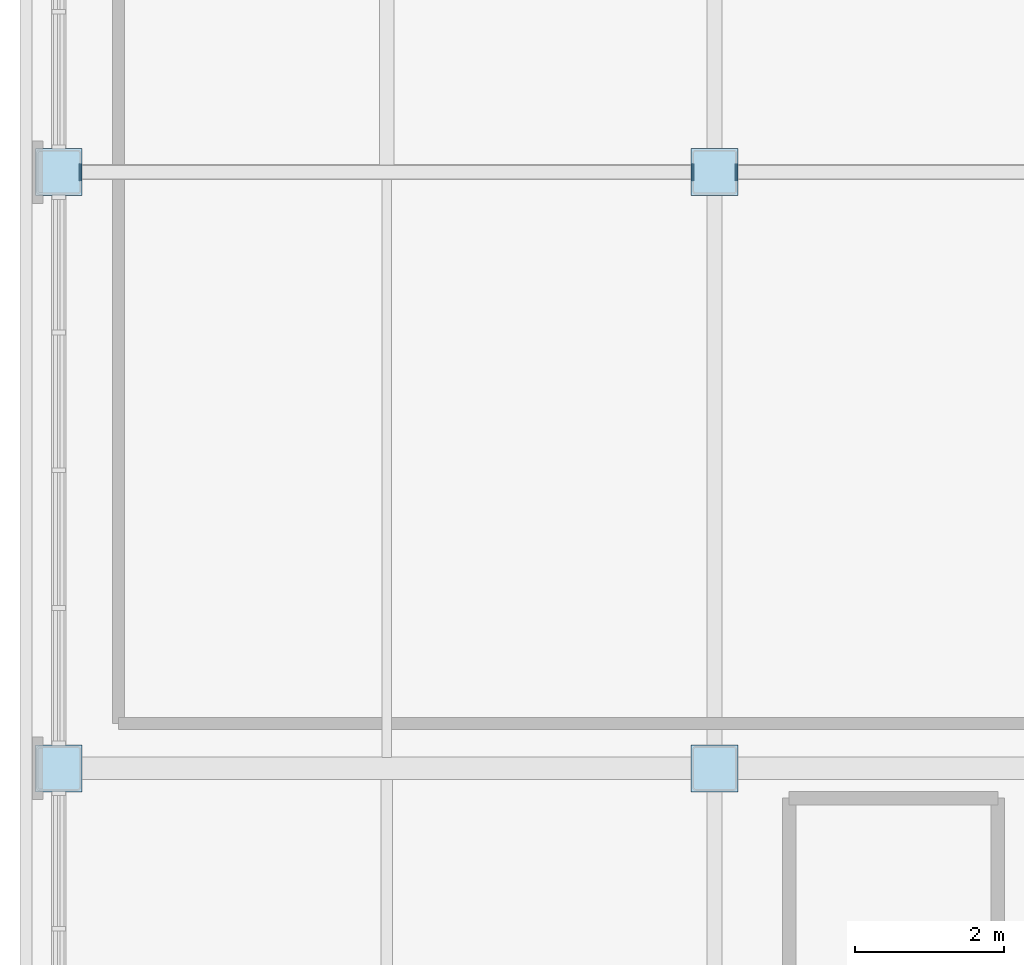
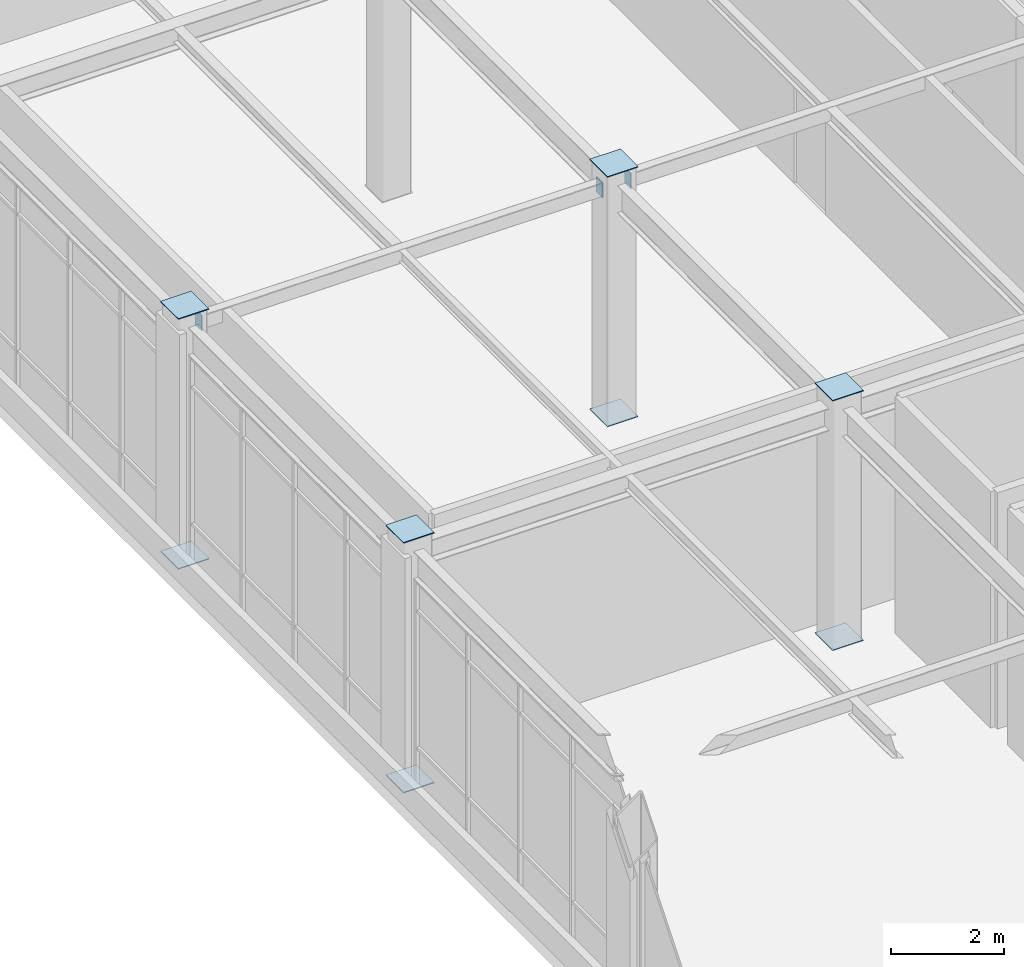
# One storey, part 113 of 184: 11 plates.
"""IFC4 building model written with IfcOpenShell, lengths in metres."""

from ifc_helpers import new_model, si_unit, direction, frame, origin, origin_2d, place, context, subcontext, project, spatial, rectangle, extrude, material, layer, layer_set, type_object, element, save


model = new_model("IFC4")

# Units and contexts
model_context = context("Model", 3, precision=1e-05, world=origin(), true_north=direction((0.0, 1.0)))
body_context = subcontext(model_context, "Body", "Model", "MODEL_VIEW")
ifc_project = project(units=[si_unit("LENGTHUNIT", "METRE"), si_unit("AREAUNIT", "SQUARE_METRE"), si_unit("VOLUMEUNIT", "CUBIC_METRE"), si_unit("PLANEANGLEUNIT", "RADIAN"), si_unit("MASSUNIT", "GRAM", prefix="KILO")], contexts=[model_context])

# Site, building, storey
site_placement = place(None, origin())
site = spatial("IfcSite", under=ifc_project, at=site_placement, CompositionType="ELEMENT")
building_placement = place(site_placement, origin())
building = spatial("IfcBuilding", under=site, at=building_placement, Name="Zhaolan Boulevard Law Courts", CompositionType="ELEMENT")
storey_placement = place(building_placement, frame((0.0, 0.0, 5.39990234375)))
storey = spatial("IfcBuildingStorey", under=building, at=storey_placement, Name="L01", CompositionType="ELEMENT", Elevation=5.39990234375)

# Plates
ifc_material = material(Name="Structural steel Q355B", Category="steel")
ifc_layer = layer(ifc_material, 0.02001953125)
ifc_layer_set = layer_set([ifc_layer])
plate_type = type_object("IfcPlateType", Name="END CAP PLATE 20", PredefinedType="SHEET", material=ifc_layer_set)
for number, where, z_axis, x_axis, name in (
    (1, (0.0, 54.0, -0.017822265625), (0.0, 0.0, 1.0), (1.0, 0.0, 0.0), "Hollow Section End-Cap Plate ECP-0069"),
    (2, (0.0, 54.0, 5.398193359375), (0.0, 0.0, 1.0), (1.0, 0.0, 0.0), "Hollow Section End-Cap Plate ECP-0070"),
    (3, (0.0, 62.0, -0.017822265625), (0.0, 0.0, 1.0), (1.0, 0.0, 0.0), "Hollow Section End-Cap Plate ECP-0091"),
    (4, (0.0, 62.0, 5.398193359375), (0.0, 0.0, 1.0), (1.0, 0.0, 0.0), "Hollow Section End-Cap Plate ECP-0092"),
    (5, (8.800048828125, 54.0, -0.017822265625), (0.0, 0.0, 1.0), (1.0, 0.0, 0.0), "Hollow Section End-Cap Plate ECP-0203"),
    (6, (8.800048828125, 54.0, 5.398193359375), (0.0, 0.0, 1.0), (1.0, 0.0, 0.0), "Hollow Section End-Cap Plate ECP-0204"),
    (7, (8.800048828125, 62.0, -0.017822265625), (0.0, 0.0, 1.0), (1.0, 0.0, 0.0), "Hollow Section End-Cap Plate ECP-0225"),
    (8, (8.800048828125, 62.0, 5.398193359375), (0.0, 0.0, 1.0), (1.0, 0.0, 0.0), "Hollow Section End-Cap Plate ECP-0226"),
):
    element("IfcPlate", number, at=place(storey_placement, frame(where, z_axis=z_axis, x_axis=x_axis)), inside=storey, type_object=plate_type, Name=name, PredefinedType="SHEET", context=body_context, shape_type="SweptSolid", body=[
        extrude(rectangle(XDim=0.6298828125, YDim=0.6298828125, at=origin_2d()), origin(), (0.0, 0.0, 1.0), 0.02001953125),
    ])
for number, where, z_axis, x_axis, name in (
    (9, (0.2880859375, 62.0, 4.822998046875), (0.0, 0.0, 1.0), (1.0, 0.0, 0.0), "Hollow Section End-Cap Plate ECP-0781"),
    (10, (8.511962890625, 62.0, 4.822998046875), (0.0, 0.0, 1.0), (1.0, 0.0, 0.0), "Hollow Section End-Cap Plate ECP-0782"),
    (11, (9.087890625, 62.0, 4.822998046875), (0.0, 0.0, 1.0), (1.0, 0.0, 0.0), "Hollow Section End-Cap Plate ECP-0783"),
):
    element("IfcPlate", number, at=place(storey_placement, frame(where, z_axis=z_axis, x_axis=x_axis)), inside=storey, type_object=plate_type, Name=name, PredefinedType="SHEET", context=body_context, shape_type="SweptSolid", body=[
        extrude(rectangle(XDim=0.02001953125, YDim=0.22998046875, at=origin_2d()), origin(), (0.0, 0.0, 1.0), 0.330078125),
    ])

save(model, "model.ifc")
